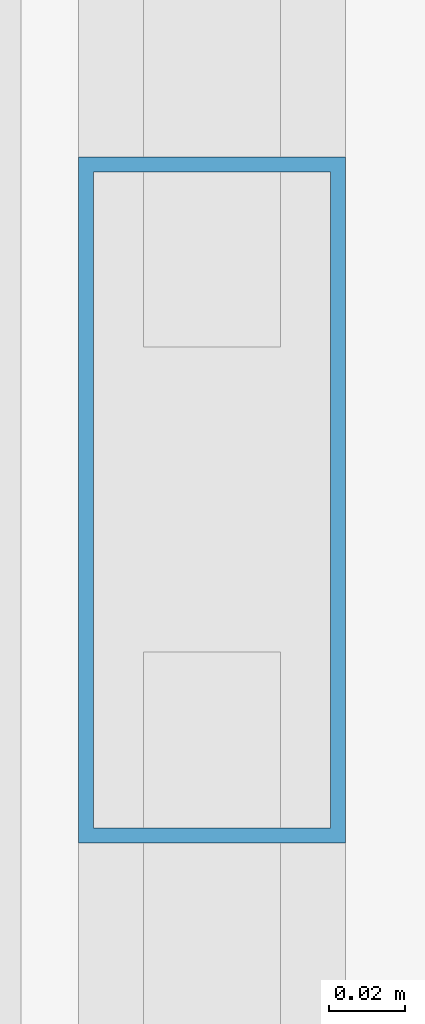
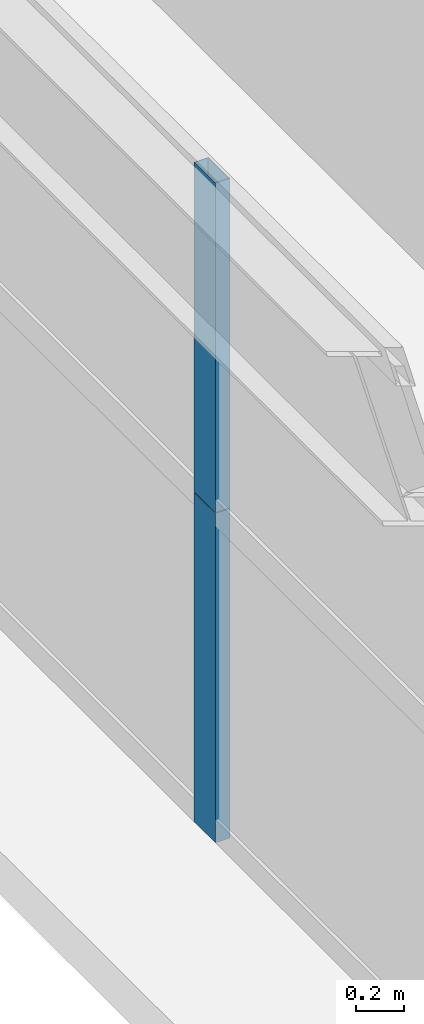
# One storey, part 21 of 41: 2 members, 1 element without a shape of its own.
"""IFC4 building model written with IfcOpenShell, lengths in metres."""

from ifc_helpers import new_model, si_unit, direction, frame, origin, origin_2d, place, context, subcontext, project, spatial, hollow_rectangle, extrude, source, transform, mapped, material, layer, layer_set, material_profile, profile_set, type_object, element, aggregate, save


model = new_model("IFC4")

# Units and contexts
model_context = context("Model", 3, precision=1e-05, world=origin(), true_north=direction((0.0, 1.0)))
body_context = subcontext(model_context, "Body", "Model", "MODEL_VIEW")
ifc_project = project(units=[si_unit("LENGTHUNIT", "METRE"), si_unit("AREAUNIT", "SQUARE_METRE"), si_unit("VOLUMEUNIT", "CUBIC_METRE"), si_unit("PLANEANGLEUNIT", "RADIAN"), si_unit("MASSUNIT", "GRAM", prefix="KILO"), si_unit("THERMODYNAMICTEMPERATUREUNIT", "KELVIN"), si_unit("POWERUNIT", "WATT")], contexts=[model_context])

# Site, building, storey
site_placement = place(None, origin())
site = spatial("IfcSite", under=ifc_project, at=site_placement, CompositionType="ELEMENT")
building_placement = place(site_placement, origin())
building = spatial("IfcBuilding", under=site, at=building_placement, Name="Yuzanri Waterfront Tower", CompositionType="ELEMENT")
storey_placement = place(building_placement, frame((0.0, 0.0, 115.39990234375)))
storey = spatial("IfcBuildingStorey", under=building, at=storey_placement, Name="L30", CompositionType="ELEMENT", Elevation=115.39990234375)

# Curtain wall, members
ifc_material_1 = material(Name="Anodized Architectural Bronze", Category="metal")
ifc_layer = layer(ifc_material_1, 0.159912109375)
ifc_layer_set = layer_set([ifc_layer], Name="Anodized Architectural Bronze")
curtain_wall_type = type_object("IfcCurtainWallType", Name="Anodized Bronze Hotel Upper-Tier Solar-Control Unitized Curtain Wall 7800", PredefinedType="NOTDEFINED", material=ifc_layer_set)
curtain_wall_placement = place(storey_placement, origin())
curtain_wall = element("IfcCurtainWall", 1, at=curtain_wall_placement, inside=storey, type_object=curtain_wall_type, Name="L30 Curtain Wall CW-L30-WR", PredefinedType="NOTDEFINED")
ifc_material_2 = material(Name="Anodized Architectural Bronze", Category="metal")
ifc_material_profile = material_profile(ifc_material_2, hollow_rectangle(XDim=0.070068359375, YDim=0.179931640625, WallThickness=0.00390625, at=origin_2d()), Name="CWM 70x180")
ifc_profile_set = profile_set([ifc_material_profile], Name="Anodized Architectural Bronze")
member_type = type_object("IfcMemberType", Name="Anodized Bronze Standard Curtain-Wall Mullion 70x180", PredefinedType="MULLION", material=ifc_profile_set)
shared_shape = source(origin(), body_context, "Body", "SweptSolid", [
    extrude(hollow_rectangle(XDim=0.070068359375, YDim=0.179931640625, WallThickness=0.00390625, at=origin_2d()), origin(), (0.0, 0.0, 1.0), 1.68798828125),
])
member_1_placement = place(storey_placement, frame((13.550048828125, 34.14990234375, 0.0), z_axis=(0.0, 0.0, 1.0), x_axis=(1.0, 0.0, 0.0)))
member_1 = element("IfcMember", 2, at=member_1_placement, type_object=member_type, Name="CW-L30-WR Lower Mullion 01", PredefinedType="MULLION", context=body_context, shape_type="MappedRepresentation", body=[
    mapped(shared_shape, transform((0.0, 0.0, 0.0), scale=1.0)),
])
member_2_placement = place(storey_placement, frame((13.550048828125, 34.14990234375, 1.692138671875), z_axis=(0.0, 0.0, 1.0), x_axis=(1.0, 0.0, 0.0)))
member_2 = element("IfcMember", 3, at=member_2_placement, type_object=member_type, Name="CW-L30-WR Upper Mullion 01", PredefinedType="MULLION", context=body_context, shape_type="MappedRepresentation", body=[
    mapped(shared_shape, transform((0.0, 0.0, 0.0), scale=1.0)),
])
aggregate(curtain_wall, [member_1, member_2])

save(model, "model.ifc")
